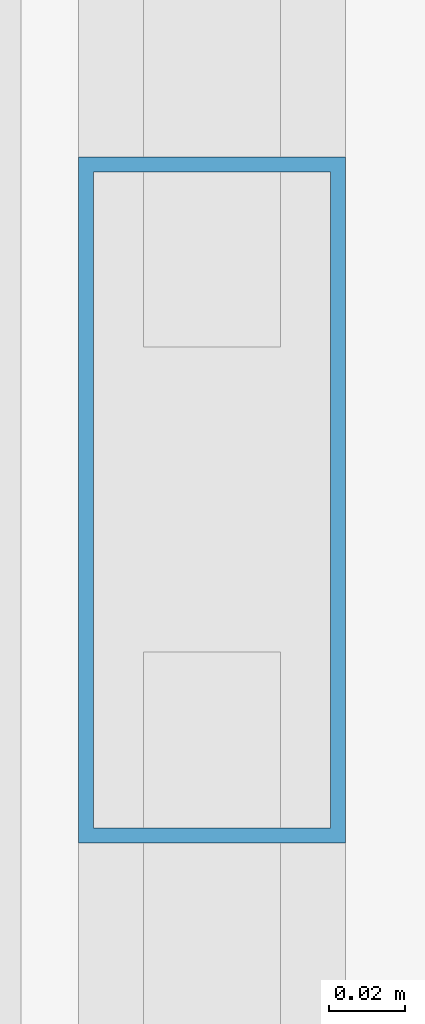
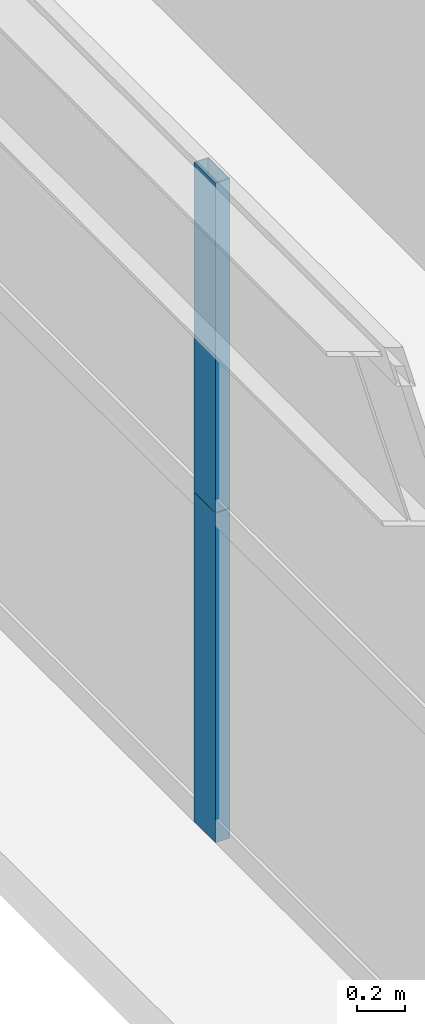
# One storey, part 21 of 43: 2 members, 1 element without a shape of its own.
"""IFC4 building model written with IfcOpenShell, lengths in metres."""

import ifcopenshell
import ifcopenshell.guid

model = None  # the IFC model being written
_history = None  # IfcOwnerHistory: only IFC2X3 demands one
_inside = {}  # id of a spatial element -> (the spatial element, [elements in it])
_under = {}  # id of a project, library or spatial element -> (it, [spatial elements below it])
_declared = {}  # id of a project -> (the project, [libraries it declares])
_typed = {}  # id of a type object -> (the type object, [elements of that type])
_made_of = {}  # id of a material, layer set ... -> (it, [elements and type objects made of it])


def new_model(schema):
    """Start an empty IFC model of exactly this schema.

    Asked for "IFC4X3", IfcOpenShell would pick the latest addendum, in which some entities
    have other attributes; the version numbers below select the first issue.
    IFC2X3 requires an IfcOwnerHistory on every rooted entity: one is made here for all.
    """
    global model, _history
    if schema == "IFC4X3":
        model = ifcopenshell.file(schema_version=(4, 3, 0, 0))
    else:
        model = ifcopenshell.file(schema=schema)
    _inside.clear()
    _under.clear()
    _declared.clear()
    _typed.clear()
    _made_of.clear()
    _history = None
    if model.schema == "IFC2X3":
        org = make("IfcOrganization", Name="unknown")
        user = make(
            "IfcPersonAndOrganization",
            ThePerson=make("IfcPerson", FamilyName="unknown"),
            TheOrganization=org,
        )
        app = make(
            "IfcApplication",
            ApplicationDeveloper=org,
            Version="unknown",
            ApplicationFullName="unknown",
            ApplicationIdentifier="unknown",
        )
        _history = make(
            "IfcOwnerHistory",
            OwningUser=user,
            OwningApplication=app,
            ChangeAction="ADDED",
            CreationDate=0,
        )
    return model


def make(cls, **values):
    """One entity of the class cls with the attributes given. An attribute that is None is left unset."""
    return model.create_entity(
        cls, **{name: value for name, value in values.items() if value is not None}
    )


def rooted(cls, **values):
    """An entity with a GlobalId (a new one), such as an element, a storey or a relation."""
    return make(cls, GlobalId=ifcopenshell.guid.new(), OwnerHistory=_history, **values)


def si_unit(unit_type, name, prefix=None):
    """IfcSIUnit, for example si_unit("LENGTHUNIT", "METRE", prefix="MILLI")."""
    return make("IfcSIUnit", UnitType=unit_type, Prefix=prefix, Name=name)


def assignment(units):
    """IfcUnitAssignment: the units of a project."""
    return None if units is None else make("IfcUnitAssignment", Units=units)


def point(xyz):
    """IfcCartesianPoint."""
    return None if xyz is None else make("IfcCartesianPoint", Coordinates=xyz)


def direction(xyz):
    """IfcDirection."""
    return None if xyz is None else make("IfcDirection", DirectionRatios=xyz)


def frame(location, z_axis=None, x_axis=None):
    """IfcAxis2Placement3D, a coordinate frame: its origin and axes. An axis left out is left unset."""
    return make(
        "IfcAxis2Placement3D",
        Location=point(location),
        Axis=direction(z_axis),
        RefDirection=direction(x_axis),
    )


def frame_2d(location, x_axis=None):
    """IfcAxis2Placement2D, a coordinate frame in the plane: its origin and x axis."""
    return make(
        "IfcAxis2Placement2D", Location=point(location), RefDirection=direction(x_axis)
    )


def origin():
    """The frame at (0, 0, 0) with its axes left unset."""
    return frame((0.0, 0.0, 0.0))


def origin_2d():
    """The frame at (0, 0) in the plane with its x axis left unset."""
    return frame_2d((0.0, 0.0))


def place(relative_to, where):
    """IfcLocalPlacement: puts the frame where relative to a parent placement (None: the world)."""
    return make(
        "IfcLocalPlacement", PlacementRelTo=relative_to, RelativePlacement=where
    )


def context(
    kind, dimensions, precision=None, world=None, true_north=None, identifier=None
):
    """IfcGeometricRepresentationContext, for example the 3D "Model" context."""
    return make(
        "IfcGeometricRepresentationContext",
        ContextIdentifier=identifier,
        ContextType=kind,
        CoordinateSpaceDimension=dimensions,
        Precision=precision,
        WorldCoordinateSystem=world,
        TrueNorth=true_north,
    )


def subcontext(parent, identifier, kind, view, scale=None):
    """IfcGeometricRepresentationSubContext, for example "Body" below "Model"."""
    return make(
        "IfcGeometricRepresentationSubContext",
        ContextIdentifier=identifier,
        ContextType=kind,
        ParentContext=parent,
        TargetScale=scale,
        TargetView=view,
    )


def project(units=None, contexts=None):
    """IfcProject with its units and contexts."""
    return rooted(
        "IfcProject",
        Name="project",
        RepresentationContexts=contexts,
        UnitsInContext=assignment(units),
    )


def spatial(cls, under=None, at=None, **own):
    """A site, building, storey or space (cls), placed at a placement, below another one or the project."""
    s = rooted(cls, ObjectPlacement=at, **own)
    if under is not None:
        _under.setdefault(under.id(), (under, []))[1].append(s)
    return s


def profile(cls, at=None, kind="AREA", **sizes):
    """A parametric profile (cls). Its sizes go by their IFC names, for example OverallWidth=200.0."""
    return make(cls, ProfileType=kind, Position=at, **sizes)


def hollow_rectangle(**sizes):
    """IfcRectangleHollowProfileDef."""
    return profile("IfcRectangleHollowProfileDef", **sizes)


def extrude(swept, where, along, depth):
    """IfcExtrudedAreaSolid: the profile swept, set in the frame where, extruded along a direction by depth."""
    return make(
        "IfcExtrudedAreaSolid",
        SweptArea=swept,
        Position=where,
        ExtrudedDirection=direction(along),
        Depth=depth,
    )


def shape(context_of_items, identifier, shape_type, items):
    """IfcShapeRepresentation: the items that make up one representation, for example the "Body"."""
    return make(
        "IfcShapeRepresentation",
        ContextOfItems=context_of_items,
        RepresentationIdentifier=identifier,
        RepresentationType=shape_type,
        Items=items,
    )


def source(mapping_origin, context_of_items, identifier, shape_type, items):
    """IfcRepresentationMap: a shape defined once, which mapped items show again and again."""
    return make(
        "IfcRepresentationMap",
        MappingOrigin=mapping_origin,
        MappedRepresentation=shape(context_of_items, identifier, shape_type, items),
    )


def transform(
    local_origin,
    x_axis=None,
    y_axis=None,
    z_axis=None,
    scale=None,
    scale2=None,
    scale3=None,
    uniform=True,
):
    """IfcCartesianTransformationOperator3D, or its non-uniform kind. x_axis, y_axis, z_axis: its Axis1, 2, 3."""
    if uniform:
        return make(
            "IfcCartesianTransformationOperator3D",
            Axis1=direction(x_axis),
            Axis2=direction(y_axis),
            LocalOrigin=point(local_origin),
            Scale=scale,
            Axis3=direction(z_axis),
        )
    return make(
        "IfcCartesianTransformationOperator3DnonUniform",
        Axis1=direction(x_axis),
        Axis2=direction(y_axis),
        LocalOrigin=point(local_origin),
        Scale=scale,
        Axis3=direction(z_axis),
        Scale2=scale2,
        Scale3=scale3,
    )


def mapped(mapping_source, mapping_target):
    """IfcMappedItem: shows the shape of a source again, moved by a transform."""
    return make(
        "IfcMappedItem", MappingSource=mapping_source, MappingTarget=mapping_target
    )


def material(Name=None, Category=None):
    """IfcMaterial."""
    return make("IfcMaterial", Name=Name, Category=Category)


def layer(
    of_material, thickness, ventilated=None, Name=None, Category=None, Priority=None
):
    """IfcMaterialLayer: one layer of a wall or slab, of a material (None: an air gap)."""
    return make(
        "IfcMaterialLayer",
        Material=of_material,
        LayerThickness=thickness,
        IsVentilated=ventilated,
        Name=Name,
        Category=Category,
        Priority=Priority,
    )


def layer_set(layers, Name=None):
    """IfcMaterialLayerSet."""
    return make("IfcMaterialLayerSet", MaterialLayers=layers, LayerSetName=Name)


def material_profile(
    of_material, cross_section, Name=None, Category=None, Priority=None
):
    """IfcMaterialProfile: a cross section and its material."""
    return make(
        "IfcMaterialProfile",
        Name=Name,
        Material=of_material,
        Profile=cross_section,
        Priority=Priority,
        Category=Category,
    )


def profile_set(profiles, Name=None, composite=None):
    """IfcMaterialProfileSet."""
    return make(
        "IfcMaterialProfileSet",
        Name=Name,
        MaterialProfiles=profiles,
        CompositeProfile=composite,
    )


def made_of(thing, what):
    """Note that an element or type object is made of a material, layer set ...; save() writes the relation."""
    if what is not None:
        _made_of.setdefault(what.id(), (what, []))[1].append(thing)
    return thing


def type_object(cls, material=None, **own):
    """A type object (cls), such as IfcWallType, which elements share."""
    return made_of(rooted(cls, **own), material)


def element(
    cls,
    number,
    at=None,
    inside=None,
    cuts=None,
    type_object=None,
    material=None,
    context=None,
    identifier="Body",
    shape_type=None,
    held_by="IfcProductDefinitionShape",
    body=None,
    shapes=None,
    **own,
):
    """One element of the class cls, such as IfcWall. Its Tag is "e" and its number.

    at: its placement. inside: the storey or other place that contains it. cuts: it is an
    opening in that element (IfcRelVoidsElement). A single representation is given by context,
    identifier, shape_type and body (its items); several are given by shapes. held_by: the class
    of the entity that holds the representations. save() writes the other relations.
    """
    e = rooted(cls, Tag="e%d" % number, ObjectPlacement=at, **own)
    if body is not None:
        shapes = [shape(context, identifier, shape_type, body)]
    if shapes is not None:
        e.Representation = make(held_by, Representations=shapes)
    if inside is not None:
        _inside.setdefault(inside.id(), (inside, []))[1].append(e)
    if cuts is not None:
        rooted(
            "IfcRelVoidsElement", RelatingBuildingElement=cuts, RelatedOpeningElement=e
        )
    if type_object is not None:
        _typed.setdefault(type_object.id(), (type_object, []))[1].append(e)
    return made_of(e, material)


def aggregate(whole, parts):
    """IfcRelAggregates: a whole, such as a stair, and the parts it consists of."""
    return rooted("IfcRelAggregates", RelatingObject=whole, RelatedObjects=parts)


def save(model, path):
    """Write the relations noted so far, then the file.

    IfcRelAggregates (storeys below a building ...), IfcRelContainedInSpatialStructure (elements
    in a storey), IfcRelDefinesByType, IfcRelAssociatesMaterial and IfcRelDeclares: one each for
    every whole, place, type object, material and project.
    """
    for whole, parts in _under.values():
        aggregate(whole, parts)
    for where, things in _inside.values():
        rooted(
            "IfcRelContainedInSpatialStructure",
            RelatedElements=things,
            RelatingStructure=where,
        )
    for kind, things in _typed.values():
        rooted("IfcRelDefinesByType", RelatedObjects=things, RelatingType=kind)
    for what, things in _made_of.values():
        rooted("IfcRelAssociatesMaterial", RelatedObjects=things, RelatingMaterial=what)
    for by, libraries in _declared.values():
        rooted("IfcRelDeclares", RelatingContext=by, RelatedDefinitions=libraries)
    model.write(path)


model = new_model("IFC4")

# Units and contexts
model_context = context("Model", 3, precision=1e-05, world=origin(), true_north=direction((0.0, 1.0)))
body_context = subcontext(model_context, "Body", "Model", "MODEL_VIEW")
ifc_project = project(units=[si_unit("LENGTHUNIT", "METRE"), si_unit("AREAUNIT", "SQUARE_METRE"), si_unit("VOLUMEUNIT", "CUBIC_METRE"), si_unit("PLANEANGLEUNIT", "RADIAN"), si_unit("MASSUNIT", "GRAM", prefix="KILO"), si_unit("THERMODYNAMICTEMPERATUREUNIT", "KELVIN"), si_unit("POWERUNIT", "WATT")], contexts=[model_context])

# Site, building, storey
site_placement = place(None, origin())
site = spatial("IfcSite", under=ifc_project, at=site_placement, CompositionType="ELEMENT")
building_placement = place(site_placement, origin())
building = spatial("IfcBuilding", under=site, at=building_placement, Name="Yuzanri Waterfront Tower", CompositionType="ELEMENT")
storey_placement = place(building_placement, frame((0.0, 0.0, 71.199951171875)))
storey = spatial("IfcBuildingStorey", under=building, at=storey_placement, Name="L18", CompositionType="ELEMENT", Elevation=71.199951171875)

# Curtain wall, members
ifc_material_1 = material(Name="Anodized Architectural Bronze", Category="metal")
ifc_layer = layer(ifc_material_1, 0.159912109375)
ifc_layer_set = layer_set([ifc_layer], Name="Anodized Architectural Bronze")
curtain_wall_type = type_object("IfcCurtainWallType", Name="Anodized Bronze Hotel Lower-Tier Recessed Unitized Curtain Wall 8100", PredefinedType="NOTDEFINED", material=ifc_layer_set)
curtain_wall_placement = place(storey_placement, origin())
curtain_wall = element("IfcCurtainWall", 1, at=curtain_wall_placement, inside=storey, type_object=curtain_wall_type, Name="L18 Curtain Wall CW-L18-WR", PredefinedType="NOTDEFINED")
ifc_material_2 = material(Name="Anodized Architectural Bronze", Category="metal")
ifc_material_profile = material_profile(ifc_material_2, hollow_rectangle(XDim=0.070068359375, YDim=0.179931640625, WallThickness=0.00390625, at=origin_2d()), Name="CWM 70x180")
ifc_profile_set = profile_set([ifc_material_profile], Name="Anodized Architectural Bronze")
member_type = type_object("IfcMemberType", Name="Anodized Bronze Standard Curtain-Wall Mullion 70x180", PredefinedType="MULLION", material=ifc_profile_set)
shared_shape = source(origin(), body_context, "Body", "SweptSolid", [
    extrude(hollow_rectangle(XDim=0.070068359375, YDim=0.179931640625, WallThickness=0.00390625, at=origin_2d()), origin(), (0.0, 0.0, 1.0), 1.68798828125),
])
member_1_placement = place(storey_placement, frame((12.050048828125, 34.89990234375, 0.0), z_axis=(0.0, 0.0, 1.0), x_axis=(1.0, 0.0, 0.0)))
member_1 = element("IfcMember", 2, at=member_1_placement, type_object=member_type, Name="CW-L18-WR Lower Mullion 01", PredefinedType="MULLION", context=body_context, shape_type="MappedRepresentation", body=[
    mapped(shared_shape, transform((0.0, 0.0, 0.0), scale=1.0)),
])
member_2_placement = place(storey_placement, frame((12.050048828125, 34.89990234375, 1.692138671875), z_axis=(0.0, 0.0, 1.0), x_axis=(1.0, 0.0, 0.0)))
member_2 = element("IfcMember", 3, at=member_2_placement, type_object=member_type, Name="CW-L18-WR Upper Mullion 01", PredefinedType="MULLION", context=body_context, shape_type="MappedRepresentation", body=[
    mapped(shared_shape, transform((0.0, 0.0, 0.0), scale=1.0)),
])
aggregate(curtain_wall, [member_1, member_2])

save(model, "model.ifc")
